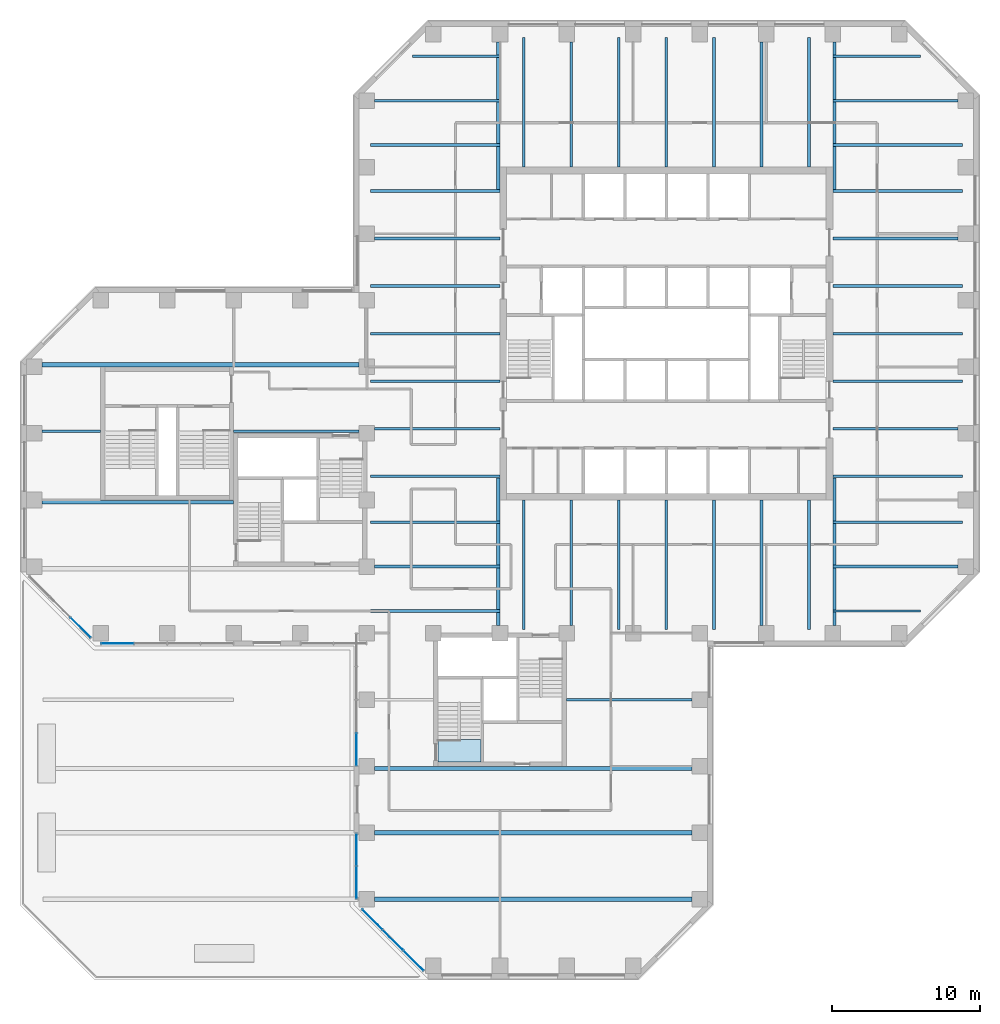
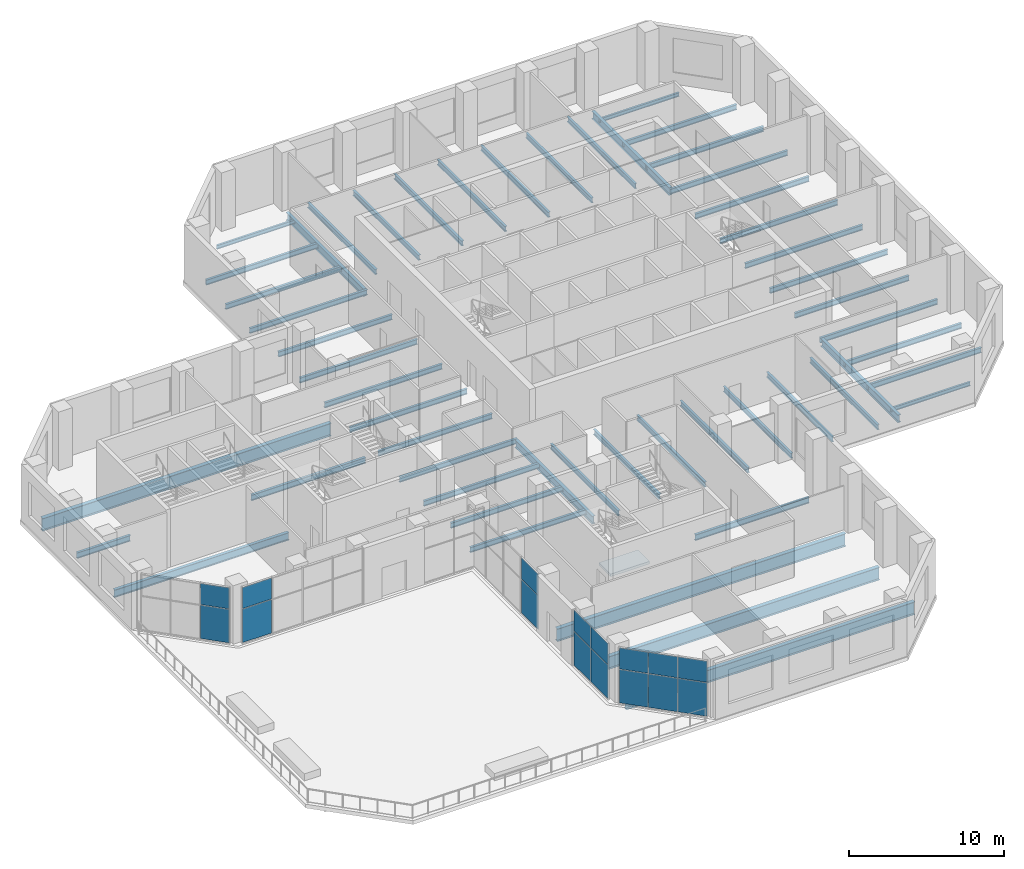
# One storey, part 4 of 14: 52 beams, 16 plates, 1 slab, 6 elements without a shape of their own.
"""IFC4 building model written with IfcOpenShell, lengths in metres."""

from ifc_helpers import new_model, si_unit, direction, frame, origin, origin_2d, place, context, subcontext, project, spatial, polyline, rectangle, i_section, outline, extrude, material, layer, layer_set, constituent, constituent_set, material_profile, profile_set, type_object, element, aggregate, save


model = new_model("IFC4")

# Units and contexts
model_context = context("Model", 3, precision=1e-05, world=origin(), true_north=direction((0.0, 1.0)))
body_context = subcontext(model_context, "Body", "Model", "MODEL_VIEW")
ifc_project = project(units=[si_unit("LENGTHUNIT", "METRE"), si_unit("AREAUNIT", "SQUARE_METRE"), si_unit("VOLUMEUNIT", "CUBIC_METRE"), si_unit("PLANEANGLEUNIT", "RADIAN"), si_unit("MASSUNIT", "GRAM", prefix="KILO")], contexts=[model_context])

# Site, building, storey
site_placement = place(None, origin())
site = spatial("IfcSite", under=ifc_project, at=site_placement, CompositionType="ELEMENT")
building_placement = place(site_placement, origin())
building = spatial("IfcBuilding", under=site, at=building_placement, Name="Quoin Convention Tower", CompositionType="ELEMENT")
storey_placement = place(building_placement, frame((0.0, 0.0, 74.300048828125)))
storey = spatial("IfcBuildingStorey", under=building, at=storey_placement, Name="L19", CompositionType="ELEMENT", Elevation=74.300048828125)

# Beams
ifc_material_1 = material(Name="Steel Grade 300", Category="steel")
ifc_material_profile_1 = material_profile(ifc_material_1, i_section(OverallWidth=0.300048828125, OverallDepth=1.0, WebThickness=0.01611328125, FlangeThickness=0.02001953125, at=origin_2d()), Name="1000WB215")
ifc_profile_set_1 = profile_set([ifc_material_profile_1], Name="Steel Grade 300")
beam_type_1 = type_object("IfcBeamType", Name="1000WB215", PredefinedType="BEAM", material=ifc_profile_set_1)
for number, where, z_axis, x_axis, name in (
    (1, (36.52490234375, 22.5, -0.650146484375), (1.0, 0.0, 0.0), (0.0, 1.0, 0.0), "gir-L19-ST3-1-0"),
    (2, (36.52490234375, 27.0, -0.650146484375), (1.0, 0.0, 0.0), (0.0, 1.0, 0.0), "gir-L19-ST3-2-0"),
    (3, (36.52490234375, 31.35009765625, -0.650146484375), (1.0, 0.0, 0.0), (0.0, 1.0, 0.0), "gir-L19-ST3-3-0"),
    (4, (14.02490234375, 58.64990234375, -0.650146484375), (1.0, 0.0, 0.0), (0.0, 1.0, 0.0), "gir-L19-ST2-4-0"),
):
    element("IfcBeam", number, at=place(storey_placement, frame(where, z_axis=z_axis, x_axis=x_axis)), inside=storey, type_object=beam_type_1, Name=name, PredefinedType="BEAM", context=body_context, shape_type="SweptSolid", body=[
        extrude(i_section(OverallWidth=0.300048828125, OverallDepth=1.0, WebThickness=0.01611328125, FlangeThickness=0.02001953125, at=origin_2d()), origin(), (0.0, 0.0, 1.0), 21.4501953125),
    ])
ifc_material_profile_2 = material_profile(ifc_material_1, i_section(OverallWidth=0.14892578125, OverallDepth=0.298095703125, WebThickness=0.005615234375, FlangeThickness=0.008056640625, FilletRadius=0.012939453125, at=origin_2d()), Name="310UB32.0")
ifc_profile_set_2 = profile_set([ifc_material_profile_2], Name="Steel Grade 300")
beam_type_2 = type_object("IfcBeamType", Name="310UB32.0", PredefinedType="BEAM", material=ifc_profile_set_2)
for number, where, z_axis, x_axis, name in (
    (5, (67.5, 42.0, -0.299072265625), (1.0, 0.0, 0.0), (0.0, 1.0, 0.0), "bm-L19-T1SE0"),
    (6, (39.072265625, 79.5, -0.299072265625), (1.0, 0.0, 0.0), (0.0, 1.0, 0.0), "bm-L19-T1NW0"),
    (7, (67.5, 79.5, -0.299072265625), (1.0, 0.0, 0.0), (0.0, 1.0, 0.0), "bm-L19-T1NE0"),
):
    element("IfcBeam", number, at=place(storey_placement, frame(where, z_axis=z_axis, x_axis=x_axis)), inside=storey, type_object=beam_type_2, Name=name, PredefinedType="BEAM", context=body_context, shape_type="SweptSolid", body=[
        extrude(i_section(OverallWidth=0.14892578125, OverallDepth=0.298095703125, WebThickness=0.005615234375, FlangeThickness=0.008056640625, FilletRadius=0.012939453125, at=origin_2d()), origin(), (0.0, 0.0, 1.0), 5.927734375),
    ])
ifc_material_profile_3 = material_profile(ifc_material_1, i_section(OverallWidth=0.177978515625, OverallDepth=0.403076171875, WebThickness=0.007568359375, FlangeThickness=0.010986328125, FilletRadius=0.011474609375, at=origin_2d()), Name="410UB53.7")
ifc_profile_set_3 = profile_set([ifc_material_profile_3], Name="Steel Grade 300")
beam_type_3 = type_object("IfcBeamType", Name="410UB53.7", PredefinedType="BEAM", material=ifc_profile_set_3)
beam_1_placement = place(storey_placement, frame((36.25, 51.107177734375, -0.3515625), z_axis=(1.0, 0.0, 0.0), x_axis=(0.0, 1.0, 0.0)))
element("IfcBeam", 8, at=beam_1_placement, inside=storey, type_object=beam_type_3, Name="bm-L19-T1W0", PredefinedType="BEAM", context=body_context, shape_type="SweptSolid", body=[
    extrude(i_section(OverallWidth=0.177978515625, OverallDepth=0.403076171875, WebThickness=0.007568359375, FlangeThickness=0.010986328125, FilletRadius=0.011474609375, at=origin_2d()), origin(), (0.0, 0.0, 1.0), 8.75),
])
beam_2_placement = place(storey_placement, frame((36.52490234375, 54.3212890625, -0.3515625), z_axis=(1.0, 0.0, 0.0), x_axis=(0.0, 1.0, 0.0)))
element("IfcBeam", 9, at=beam_2_placement, inside=storey, type_object=beam_type_3, Name="bm-L19-T1W1", PredefinedType="BEAM", context=body_context, shape_type="SweptSolid", body=[
    extrude(i_section(OverallWidth=0.177978515625, OverallDepth=0.403076171875, WebThickness=0.007568359375, FlangeThickness=0.010986328125, FilletRadius=0.011474609375, at=origin_2d()), origin(), (0.0, 0.0, 1.0), 8.47509765625),
])
for number, where, z_axis, x_axis, name in (
    (10, (36.25, 57.53564453125, -0.3515625), (1.0, 0.0, 0.0), (0.0, 1.0, 0.0), "bm-L19-T1W2"),
    (11, (36.25, 60.75, -0.3515625), (1.0, 0.0, 0.0), (0.0, 1.0, 0.0), "bm-L19-T1W3"),
    (12, (36.25, 63.96435546875, -0.3515625), (1.0, 0.0, 0.0), (0.0, 1.0, 0.0), "bm-L19-T1W4"),
):
    element("IfcBeam", number, at=place(storey_placement, frame(where, z_axis=z_axis, x_axis=x_axis)), inside=storey, type_object=beam_type_3, Name=name, PredefinedType="BEAM", context=body_context, shape_type="SweptSolid", body=[
        extrude(i_section(OverallWidth=0.177978515625, OverallDepth=0.403076171875, WebThickness=0.007568359375, FlangeThickness=0.010986328125, FilletRadius=0.011474609375, at=origin_2d()), origin(), (0.0, 0.0, 1.0), 8.75),
    ])
beam_3_placement = place(storey_placement, frame((36.52490234375, 67.1787109375, -0.3515625), z_axis=(1.0, 0.0, 0.0), x_axis=(0.0, 1.0, 0.0)))
element("IfcBeam", 13, at=beam_3_placement, inside=storey, type_object=beam_type_3, Name="bm-L19-T1W5", PredefinedType="BEAM", context=body_context, shape_type="SweptSolid", body=[
    extrude(i_section(OverallWidth=0.177978515625, OverallDepth=0.403076171875, WebThickness=0.007568359375, FlangeThickness=0.010986328125, FilletRadius=0.011474609375, at=origin_2d()), origin(), (0.0, 0.0, 1.0), 8.47509765625),
])
for number, where, z_axis, x_axis, name in (
    (14, (36.25, 70.392822265625, -0.3515625), (1.0, 0.0, 0.0), (0.0, 1.0, 0.0), "bm-L19-T1W6"),
    (15, (67.5, 51.107177734375, -0.3515625), (1.0, 0.0, 0.0), (0.0, 1.0, 0.0), "bm-L19-T1E0"),
):
    element("IfcBeam", number, at=place(storey_placement, frame(where, z_axis=z_axis, x_axis=x_axis)), inside=storey, type_object=beam_type_3, Name=name, PredefinedType="BEAM", context=body_context, shape_type="SweptSolid", body=[
        extrude(i_section(OverallWidth=0.177978515625, OverallDepth=0.403076171875, WebThickness=0.007568359375, FlangeThickness=0.010986328125, FilletRadius=0.011474609375, at=origin_2d()), origin(), (0.0, 0.0, 1.0), 8.75),
    ])
beam_4_placement = place(storey_placement, frame((67.5, 54.3212890625, -0.3515625), z_axis=(1.0, 0.0, 0.0), x_axis=(0.0, 1.0, 0.0)))
element("IfcBeam", 16, at=beam_4_placement, inside=storey, type_object=beam_type_3, Name="bm-L19-T1E1", PredefinedType="BEAM", context=body_context, shape_type="SweptSolid", body=[
    extrude(i_section(OverallWidth=0.177978515625, OverallDepth=0.403076171875, WebThickness=0.007568359375, FlangeThickness=0.010986328125, FilletRadius=0.011474609375, at=origin_2d()), origin(), (0.0, 0.0, 1.0), 8.47509765625),
])
for number, where, z_axis, x_axis, name in (
    (17, (67.5, 57.53564453125, -0.3515625), (1.0, 0.0, 0.0), (0.0, 1.0, 0.0), "bm-L19-T1E2"),
    (18, (67.5, 60.75, -0.3515625), (1.0, 0.0, 0.0), (0.0, 1.0, 0.0), "bm-L19-T1E3"),
    (19, (67.5, 63.96435546875, -0.3515625), (1.0, 0.0, 0.0), (0.0, 1.0, 0.0), "bm-L19-T1E4"),
):
    element("IfcBeam", number, at=place(storey_placement, frame(where, z_axis=z_axis, x_axis=x_axis)), inside=storey, type_object=beam_type_3, Name=name, PredefinedType="BEAM", context=body_context, shape_type="SweptSolid", body=[
        extrude(i_section(OverallWidth=0.177978515625, OverallDepth=0.403076171875, WebThickness=0.007568359375, FlangeThickness=0.010986328125, FilletRadius=0.011474609375, at=origin_2d()), origin(), (0.0, 0.0, 1.0), 8.75),
    ])
beam_5_placement = place(storey_placement, frame((67.5, 67.1787109375, -0.3515625), z_axis=(1.0, 0.0, 0.0), x_axis=(0.0, 1.0, 0.0)))
element("IfcBeam", 20, at=beam_5_placement, inside=storey, type_object=beam_type_3, Name="bm-L19-T1E5", PredefinedType="BEAM", context=body_context, shape_type="SweptSolid", body=[
    extrude(i_section(OverallWidth=0.177978515625, OverallDepth=0.403076171875, WebThickness=0.007568359375, FlangeThickness=0.010986328125, FilletRadius=0.011474609375, at=origin_2d()), origin(), (0.0, 0.0, 1.0), 8.47509765625),
])
for number, where, z_axis, x_axis, name in (
    (21, (67.5, 70.392822265625, -0.3515625), (1.0, 0.0, 0.0), (0.0, 1.0, 0.0), "bm-L19-T1E6"),
    (22, (46.607177734375, 40.75, -0.3515625), (0.0, 1.0, 0.0), (-1.0, 0.0, 0.0), "bm-L19-T1S0"),
):
    element("IfcBeam", number, at=place(storey_placement, frame(where, z_axis=z_axis, x_axis=x_axis)), inside=storey, type_object=beam_type_3, Name=name, PredefinedType="BEAM", context=body_context, shape_type="SweptSolid", body=[
        extrude(i_section(OverallWidth=0.177978515625, OverallDepth=0.403076171875, WebThickness=0.007568359375, FlangeThickness=0.010986328125, FilletRadius=0.011474609375, at=origin_2d()), origin(), (0.0, 0.0, 1.0), 8.75),
    ])
beam_6_placement = place(storey_placement, frame((49.8212890625, 41.02490234375, -0.3515625), z_axis=(0.0, 1.0, 0.0), x_axis=(-1.0, 0.0, 0.0)))
element("IfcBeam", 23, at=beam_6_placement, inside=storey, type_object=beam_type_3, Name="bm-L19-T1S1", PredefinedType="BEAM", context=body_context, shape_type="SweptSolid", body=[
    extrude(i_section(OverallWidth=0.177978515625, OverallDepth=0.403076171875, WebThickness=0.007568359375, FlangeThickness=0.010986328125, FilletRadius=0.011474609375, at=origin_2d()), origin(), (0.0, 0.0, 1.0), 8.47509765625),
])
for number, where, z_axis, x_axis, name in (
    (24, (53.03564453125, 40.75, -0.3515625), (0.0, 1.0, 0.0), (-1.0, 0.0, 0.0), "bm-L19-T1S2"),
    (25, (56.25, 40.75, -0.3515625), (0.0, 1.0, 0.0), (-1.0, 0.0, 0.0), "bm-L19-T1S3"),
    (26, (59.46435546875, 40.75, -0.3515625), (0.0, 1.0, 0.0), (-1.0, 0.0, 0.0), "bm-L19-T1S4"),
):
    element("IfcBeam", number, at=place(storey_placement, frame(where, z_axis=z_axis, x_axis=x_axis)), inside=storey, type_object=beam_type_3, Name=name, PredefinedType="BEAM", context=body_context, shape_type="SweptSolid", body=[
        extrude(i_section(OverallWidth=0.177978515625, OverallDepth=0.403076171875, WebThickness=0.007568359375, FlangeThickness=0.010986328125, FilletRadius=0.011474609375, at=origin_2d()), origin(), (0.0, 0.0, 1.0), 8.75),
    ])
beam_7_placement = place(storey_placement, frame((62.6787109375, 41.02490234375, -0.3515625), z_axis=(0.0, 1.0, 0.0), x_axis=(-1.0, 0.0, 0.0)))
element("IfcBeam", 27, at=beam_7_placement, inside=storey, type_object=beam_type_3, Name="bm-L19-T1S5", PredefinedType="BEAM", context=body_context, shape_type="SweptSolid", body=[
    extrude(i_section(OverallWidth=0.177978515625, OverallDepth=0.403076171875, WebThickness=0.007568359375, FlangeThickness=0.010986328125, FilletRadius=0.011474609375, at=origin_2d()), origin(), (0.0, 0.0, 1.0), 8.47509765625),
])
for number, where, z_axis, x_axis, name in (
    (28, (65.892822265625, 40.75, -0.3515625), (0.0, 1.0, 0.0), (-1.0, 0.0, 0.0), "bm-L19-T1S6"),
    (29, (46.607177734375, 72.0, -0.3515625), (0.0, 1.0, 0.0), (-1.0, 0.0, 0.0), "bm-L19-T1N0"),
):
    element("IfcBeam", number, at=place(storey_placement, frame(where, z_axis=z_axis, x_axis=x_axis)), inside=storey, type_object=beam_type_3, Name=name, PredefinedType="BEAM", context=body_context, shape_type="SweptSolid", body=[
        extrude(i_section(OverallWidth=0.177978515625, OverallDepth=0.403076171875, WebThickness=0.007568359375, FlangeThickness=0.010986328125, FilletRadius=0.011474609375, at=origin_2d()), origin(), (0.0, 0.0, 1.0), 8.75),
    ])
beam_8_placement = place(storey_placement, frame((49.8212890625, 72.0, -0.3515625), z_axis=(0.0, 1.0, 0.0), x_axis=(-1.0, 0.0, 0.0)))
element("IfcBeam", 30, at=beam_8_placement, inside=storey, type_object=beam_type_3, Name="bm-L19-T1N1", PredefinedType="BEAM", context=body_context, shape_type="SweptSolid", body=[
    extrude(i_section(OverallWidth=0.177978515625, OverallDepth=0.403076171875, WebThickness=0.007568359375, FlangeThickness=0.010986328125, FilletRadius=0.011474609375, at=origin_2d()), origin(), (0.0, 0.0, 1.0), 8.47509765625),
])
for number, where, z_axis, x_axis, name in (
    (31, (53.03564453125, 72.0, -0.3515625), (0.0, 1.0, 0.0), (-1.0, 0.0, 0.0), "bm-L19-T1N2"),
    (32, (56.25, 72.0, -0.3515625), (0.0, 1.0, 0.0), (-1.0, 0.0, 0.0), "bm-L19-T1N3"),
    (33, (59.46435546875, 72.0, -0.3515625), (0.0, 1.0, 0.0), (-1.0, 0.0, 0.0), "bm-L19-T1N4"),
):
    element("IfcBeam", number, at=place(storey_placement, frame(where, z_axis=z_axis, x_axis=x_axis)), inside=storey, type_object=beam_type_3, Name=name, PredefinedType="BEAM", context=body_context, shape_type="SweptSolid", body=[
        extrude(i_section(OverallWidth=0.177978515625, OverallDepth=0.403076171875, WebThickness=0.007568359375, FlangeThickness=0.010986328125, FilletRadius=0.011474609375, at=origin_2d()), origin(), (0.0, 0.0, 1.0), 8.75),
    ])
beam_9_placement = place(storey_placement, frame((62.6787109375, 72.0, -0.3515625), z_axis=(0.0, 1.0, 0.0), x_axis=(-1.0, 0.0, 0.0)))
element("IfcBeam", 34, at=beam_9_placement, inside=storey, type_object=beam_type_3, Name="bm-L19-T1N5", PredefinedType="BEAM", context=body_context, shape_type="SweptSolid", body=[
    extrude(i_section(OverallWidth=0.177978515625, OverallDepth=0.403076171875, WebThickness=0.007568359375, FlangeThickness=0.010986328125, FilletRadius=0.011474609375, at=origin_2d()), origin(), (0.0, 0.0, 1.0), 8.47509765625),
])
for number, where, z_axis, x_axis, name in (
    (35, (65.892822265625, 72.0, -0.3515625), (0.0, 1.0, 0.0), (-1.0, 0.0, 0.0), "bm-L19-T1N6"),
    (36, (36.25, 42.0, -0.3515625), (1.0, 0.0, 0.0), (0.0, 1.0, 0.0), "bm-L19-T1SW0"),
):
    element("IfcBeam", number, at=place(storey_placement, frame(where, z_axis=z_axis, x_axis=x_axis)), inside=storey, type_object=beam_type_3, Name=name, PredefinedType="BEAM", context=body_context, shape_type="SweptSolid", body=[
        extrude(i_section(OverallWidth=0.177978515625, OverallDepth=0.403076171875, WebThickness=0.007568359375, FlangeThickness=0.010986328125, FilletRadius=0.011474609375, at=origin_2d()), origin(), (0.0, 0.0, 1.0), 8.75),
    ])
beam_10_placement = place(storey_placement, frame((36.52490234375, 45.0, -0.3515625), z_axis=(1.0, 0.0, 0.0), x_axis=(0.0, 1.0, 0.0)))
element("IfcBeam", 37, at=beam_10_placement, inside=storey, type_object=beam_type_3, Name="bm-L19-T1SW1", PredefinedType="BEAM", context=body_context, shape_type="SweptSolid", body=[
    extrude(i_section(OverallWidth=0.177978515625, OverallDepth=0.403076171875, WebThickness=0.007568359375, FlangeThickness=0.010986328125, FilletRadius=0.011474609375, at=origin_2d()), origin(), (0.0, 0.0, 1.0), 8.47509765625),
])
beam_11_placement = place(storey_placement, frame((36.25, 48.0, -0.3515625), z_axis=(1.0, 0.0, 0.0), x_axis=(0.0, 1.0, 0.0)))
element("IfcBeam", 38, at=beam_11_placement, inside=storey, type_object=beam_type_3, Name="bm-L19-T1SW2", PredefinedType="BEAM", context=body_context, shape_type="SweptSolid", body=[
    extrude(i_section(OverallWidth=0.177978515625, OverallDepth=0.403076171875, WebThickness=0.007568359375, FlangeThickness=0.010986328125, FilletRadius=0.011474609375, at=origin_2d()), origin(), (0.0, 0.0, 1.0), 8.75),
])
beam_12_placement = place(storey_placement, frame((67.5, 45.0, -0.3515625), z_axis=(1.0, 0.0, 0.0), x_axis=(0.0, 1.0, 0.0)))
element("IfcBeam", 39, at=beam_12_placement, inside=storey, type_object=beam_type_3, Name="bm-L19-T1SE1", PredefinedType="BEAM", context=body_context, shape_type="SweptSolid", body=[
    extrude(i_section(OverallWidth=0.177978515625, OverallDepth=0.403076171875, WebThickness=0.007568359375, FlangeThickness=0.010986328125, FilletRadius=0.011474609375, at=origin_2d()), origin(), (0.0, 0.0, 1.0), 8.47509765625),
])
beam_13_placement = place(storey_placement, frame((67.5, 48.0, -0.3515625), z_axis=(1.0, 0.0, 0.0), x_axis=(0.0, 1.0, 0.0)))
element("IfcBeam", 40, at=beam_13_placement, inside=storey, type_object=beam_type_3, Name="bm-L19-T1SE2", PredefinedType="BEAM", context=body_context, shape_type="SweptSolid", body=[
    extrude(i_section(OverallWidth=0.177978515625, OverallDepth=0.403076171875, WebThickness=0.007568359375, FlangeThickness=0.010986328125, FilletRadius=0.011474609375, at=origin_2d()), origin(), (0.0, 0.0, 1.0), 8.75),
])
beam_14_placement = place(storey_placement, frame((36.52490234375, 76.5, -0.3515625), z_axis=(1.0, 0.0, 0.0), x_axis=(0.0, 1.0, 0.0)))
element("IfcBeam", 41, at=beam_14_placement, inside=storey, type_object=beam_type_3, Name="bm-L19-T1NW1", PredefinedType="BEAM", context=body_context, shape_type="SweptSolid", body=[
    extrude(i_section(OverallWidth=0.177978515625, OverallDepth=0.403076171875, WebThickness=0.007568359375, FlangeThickness=0.010986328125, FilletRadius=0.011474609375, at=origin_2d()), origin(), (0.0, 0.0, 1.0), 8.47509765625),
])
beam_15_placement = place(storey_placement, frame((36.25, 73.5, -0.3515625), z_axis=(1.0, 0.0, 0.0), x_axis=(0.0, 1.0, 0.0)))
element("IfcBeam", 42, at=beam_15_placement, inside=storey, type_object=beam_type_3, Name="bm-L19-T1NW2", PredefinedType="BEAM", context=body_context, shape_type="SweptSolid", body=[
    extrude(i_section(OverallWidth=0.177978515625, OverallDepth=0.403076171875, WebThickness=0.007568359375, FlangeThickness=0.010986328125, FilletRadius=0.011474609375, at=origin_2d()), origin(), (0.0, 0.0, 1.0), 8.75),
])
beam_16_placement = place(storey_placement, frame((67.5, 76.5, -0.3515625), z_axis=(1.0, 0.0, 0.0), x_axis=(0.0, 1.0, 0.0)))
element("IfcBeam", 43, at=beam_16_placement, inside=storey, type_object=beam_type_3, Name="bm-L19-T1NE1", PredefinedType="BEAM", context=body_context, shape_type="SweptSolid", body=[
    extrude(i_section(OverallWidth=0.177978515625, OverallDepth=0.403076171875, WebThickness=0.007568359375, FlangeThickness=0.010986328125, FilletRadius=0.011474609375, at=origin_2d()), origin(), (0.0, 0.0, 1.0), 8.47509765625),
])
beam_17_placement = place(storey_placement, frame((67.5, 73.5, -0.3515625), z_axis=(1.0, 0.0, 0.0), x_axis=(0.0, 1.0, 0.0)))
element("IfcBeam", 44, at=beam_17_placement, inside=storey, type_object=beam_type_3, Name="bm-L19-T1NE2", PredefinedType="BEAM", context=body_context, shape_type="SweptSolid", body=[
    extrude(i_section(OverallWidth=0.177978515625, OverallDepth=0.403076171875, WebThickness=0.007568359375, FlangeThickness=0.010986328125, FilletRadius=0.011474609375, at=origin_2d()), origin(), (0.0, 0.0, 1.0), 8.75),
])
ifc_material_profile_4 = material_profile(ifc_material_1, i_section(OverallWidth=0.18994140625, OverallDepth=0.4541015625, WebThickness=0.008544921875, FlangeThickness=0.0126953125, FilletRadius=0.011474609375, at=origin_2d()), Name="460UB67.1")
ifc_profile_set_4 = profile_set([ifc_material_profile_4], Name="Steel Grade 300")
beam_type_4 = type_object("IfcBeamType", Name="460UB67.1", PredefinedType="BEAM", material=ifc_profile_set_4)
beam_18_placement = place(storey_placement, frame((49.5, 36.0, -0.376953125), z_axis=(1.0, 0.0, 0.0), x_axis=(0.0, 1.0, 0.0)))
element("IfcBeam", 45, at=beam_18_placement, inside=storey, type_object=beam_type_4, Name="gir-L19-ST3-4-1", PredefinedType="BEAM", context=body_context, shape_type="SweptSolid", body=[
    extrude(i_section(OverallWidth=0.18994140625, OverallDepth=0.4541015625, WebThickness=0.008544921875, FlangeThickness=0.0126953125, FilletRadius=0.011474609375, at=origin_2d()), origin(), (0.0, 0.0, 1.0), 8.47509765625),
])
beam_19_placement = place(storey_placement, frame((14.02490234375, 54.14990234375, -0.376953125), z_axis=(1.0, 0.0, 0.0), x_axis=(0.0, 1.0, 0.0)))
element("IfcBeam", 46, at=beam_19_placement, inside=storey, type_object=beam_type_4, Name="gir-L19-ST2-3-0", PredefinedType="BEAM", context=body_context, shape_type="SweptSolid", body=[
    extrude(i_section(OverallWidth=0.18994140625, OverallDepth=0.4541015625, WebThickness=0.008544921875, FlangeThickness=0.0126953125, FilletRadius=0.011474609375, at=origin_2d()), origin(), (0.0, 0.0, 1.0), 3.97509765625),
])
beam_20_placement = place(storey_placement, frame((27.0, 54.14990234375, -0.376953125), z_axis=(1.0, 0.0, 0.0), x_axis=(0.0, 1.0, 0.0)))
element("IfcBeam", 47, at=beam_20_placement, inside=storey, type_object=beam_type_4, Name="gir-L19-ST2-3-1", PredefinedType="BEAM", context=body_context, shape_type="SweptSolid", body=[
    extrude(i_section(OverallWidth=0.18994140625, OverallDepth=0.4541015625, WebThickness=0.008544921875, FlangeThickness=0.0126953125, FilletRadius=0.011474609375, at=origin_2d()), origin(), (0.0, 0.0, 1.0), 8.47509765625),
])
ifc_material_profile_5 = material_profile(ifc_material_1, i_section(OverallWidth=0.22802734375, OverallDepth=0.60205078125, WebThickness=0.010498046875, FlangeThickness=0.014892578125, FilletRadius=0.013916015625, at=origin_2d()), Name="610UB101")
ifc_profile_set_5 = profile_set([ifc_material_profile_5], Name="Steel Grade 300")
beam_type_5 = type_object("IfcBeamType", Name="610UB101", PredefinedType="BEAM", material=ifc_profile_set_5)
for number, where, z_axis, x_axis, name in (
    (48, (44.885986328125, 41.02490234375, -0.450927734375), (0.0, 1.0, 0.0), (-1.0, 0.0, 0.0), "gir-L19-T1SW"),
    (49, (67.614013671875, 41.02490234375, -0.450927734375), (0.0, 1.0, 0.0), (-1.0, 0.0, 0.0), "gir-L19-T1SE"),
    (50, (44.885986328125, 80.47509765625, -0.450927734375), (0.0, -1.0, 0.0), (1.0, 0.0, 0.0), "gir-L19-T1NW"),
    (51, (67.614013671875, 80.47509765625, -0.450927734375), (0.0, -1.0, 0.0), (1.0, 0.0, 0.0), "gir-L19-T1NE"),
):
    element("IfcBeam", number, at=place(storey_placement, frame(where, z_axis=z_axis, x_axis=x_axis)), inside=storey, type_object=beam_type_5, Name=name, PredefinedType="BEAM", context=body_context, shape_type="SweptSolid", body=[
        extrude(i_section(OverallWidth=0.22802734375, OverallDepth=0.60205078125, WebThickness=0.010498046875, FlangeThickness=0.014892578125, FilletRadius=0.013916015625, at=origin_2d()), origin(), (0.0, 0.0, 1.0), 9.977783203125),
    ])
beam_21_placement = place(storey_placement, frame((14.02490234375, 49.35009765625, -0.450927734375), z_axis=(1.0, 0.0, 0.0), x_axis=(0.0, 1.0, 0.0)))
element("IfcBeam", 52, at=beam_21_placement, inside=storey, type_object=beam_type_5, Name="gir-L19-ST2-2-0", PredefinedType="BEAM", context=body_context, shape_type="SweptSolid", body=[
    extrude(i_section(OverallWidth=0.22802734375, OverallDepth=0.60205078125, WebThickness=0.010498046875, FlangeThickness=0.014892578125, FilletRadius=0.013916015625, at=origin_2d()), origin(), (0.0, 0.0, 1.0), 12.97509765625),
])

# Curtain wall, plates
ifc_material_2 = material(Name="Aluminium", Category="aluminium")
ifc_constituent_1 = constituent(ifc_material_2, Name="Frame")
ifc_material_3 = material(Name="Insulated glass", Category="glass")
ifc_constituent_2 = constituent(ifc_material_3, Name="Glazing")
ifc_constituent_set = constituent_set(constituents=[ifc_constituent_1, ifc_constituent_2], Name="Aluminium")
curtain_wall_type = type_object("IfcCurtainWallType", Name="Sky lobby glazing system", PredefinedType="NOTDEFINED", material=ifc_constituent_set)
curtain_wall_1_placement = place(storey_placement, origin())
curtain_wall_1 = element("IfcCurtainWall", 53, at=curtain_wall_1_placement, inside=storey, type_object=curtain_wall_type, Name="cw-SKY-L19-13005_44505", PredefinedType="NOTDEFINED")
ifc_layer_1 = layer(ifc_material_3, 0.035888671875)
ifc_layer_set_1 = layer_set([ifc_layer_1], Name="Insulated glass")
plate_type = type_object("IfcPlateType", Name="Sky lobby glazing glazing unit 36", PredefinedType="CURTAIN_PANEL", material=ifc_layer_set_1)
plate_1_placement = place(storey_placement, frame((16.6416015625, 40.868408203125, 0.050048828125), z_axis=(0.0, 0.0, 1.0), x_axis=(0.707115210816, -0.707098351457, 0.0)))
plate_1 = element("IfcPlate", 54, at=plate_1_placement, type_object=plate_type, Name="CW3 panel 3.1", PredefinedType="CURTAIN_PANEL", context=body_context, shape_type="SweptSolid", body=[
    extrude(rectangle(XDim=1.902099609375, YDim=0.035888671875, at=origin_2d()), origin(), (0.0, 0.0, 1.0), 2.625),
])
plate_2_placement = place(storey_placement, frame((16.6416015625, 40.868408203125, 2.72509765625), z_axis=(0.0, 0.0, 1.0), x_axis=(0.707115210816, -0.707098351457, 0.0)))
plate_2 = element("IfcPlate", 55, at=plate_2_placement, type_object=plate_type, Name="CW3 panel 3.2", PredefinedType="CURTAIN_PANEL", context=body_context, shape_type="SweptSolid", body=[
    extrude(rectangle(XDim=1.902099609375, YDim=0.035888671875, at=origin_2d()), origin(), (0.0, 0.0, 1.0), 1.64990234375),
])
aggregate(curtain_wall_1, [plate_1, plate_2])

curtain_wall_2_placement = place(storey_placement, origin())
curtain_wall_2 = element("IfcCurtainWall", 56, at=curtain_wall_2_placement, inside=storey, type_object=curtain_wall_type, Name="cw-SKY-L19-18000_39800", PredefinedType="NOTDEFINED")
plate_3_placement = place(storey_placement, frame((19.137451171875, 39.800048828125, 0.050048828125), z_axis=(0.0, 0.0, 1.0), x_axis=(1.0, 0.0, 0.0)))
plate_3 = element("IfcPlate", 57, at=plate_3_placement, type_object=plate_type, Name="CW3 panel 1.1", PredefinedType="CURTAIN_PANEL", context=body_context, shape_type="SweptSolid", body=[
    extrude(rectangle(XDim=2.175048828125, YDim=0.035888671875, at=origin_2d()), origin(), (0.0, 0.0, 1.0), 2.625),
])
plate_4_placement = place(storey_placement, frame((19.137451171875, 39.800048828125, 2.72509765625), z_axis=(0.0, 0.0, 1.0), x_axis=(1.0, 0.0, 0.0)))
plate_4 = element("IfcPlate", 58, at=plate_4_placement, type_object=plate_type, Name="CW3 panel 1.2", PredefinedType="CURTAIN_PANEL", context=body_context, shape_type="SweptSolid", body=[
    extrude(rectangle(XDim=2.175048828125, YDim=0.035888671875, at=origin_2d()), origin(), (0.0, 0.0, 1.0), 1.64990234375),
])
aggregate(curtain_wall_2, [plate_3, plate_4])

curtain_wall_3_placement = place(storey_placement, origin())
curtain_wall_3 = element("IfcCurtainWall", 59, at=curtain_wall_3_placement, inside=storey, type_object=curtain_wall_type, Name="cw-SKY-L19-35300_40500", PredefinedType="NOTDEFINED")
plate_5_placement = place(storey_placement, frame((35.300048828125, 32.637451171875, 0.050048828125), z_axis=(0.0, 0.0, 1.0), x_axis=(0.0, -1.0, 0.0)))
plate_5 = element("IfcPlate", 60, at=plate_5_placement, type_object=plate_type, Name="CW3 panel 4.1", PredefinedType="CURTAIN_PANEL", context=body_context, shape_type="SweptSolid", body=[
    extrude(rectangle(XDim=2.175048828125, YDim=0.035888671875, at=origin_2d()), origin(), (0.0, 0.0, 1.0), 2.625),
])
plate_6_placement = place(storey_placement, frame((35.300048828125, 32.637451171875, 2.72509765625), z_axis=(0.0, 0.0, 1.0), x_axis=(0.0, -1.0, 0.0)))
plate_6 = element("IfcPlate", 61, at=plate_6_placement, type_object=plate_type, Name="CW3 panel 4.2", PredefinedType="CURTAIN_PANEL", context=body_context, shape_type="SweptSolid", body=[
    extrude(rectangle(XDim=2.175048828125, YDim=0.035888671875, at=origin_2d()), origin(), (0.0, 0.0, 1.0), 1.64990234375),
])
aggregate(curtain_wall_3, [plate_5, plate_6])

curtain_wall_4_placement = place(storey_placement, origin())
curtain_wall_4 = element("IfcCurtainWall", 62, at=curtain_wall_4_placement, inside=storey, type_object=curtain_wall_type, Name="cw-SKY-L19-35300_27000", PredefinedType="NOTDEFINED")
plate_7_placement = place(storey_placement, frame((35.300048828125, 25.862548828125, 0.050048828125), z_axis=(0.0, 0.0, 1.0), x_axis=(0.0, -1.0, 0.0)))
plate_7 = element("IfcPlate", 63, at=plate_7_placement, type_object=plate_type, Name="CW3 panel 1.1", PredefinedType="CURTAIN_PANEL", context=body_context, shape_type="SweptSolid", body=[
    extrude(rectangle(XDim=2.175048828125, YDim=0.035888671875, at=origin_2d()), origin(), (0.0, 0.0, 1.0), 2.625),
])
plate_8_placement = place(storey_placement, frame((35.300048828125, 25.862548828125, 2.72509765625), z_axis=(0.0, 0.0, 1.0), x_axis=(0.0, -1.0, 0.0)))
plate_8 = element("IfcPlate", 64, at=plate_8_placement, type_object=plate_type, Name="CW3 panel 1.2", PredefinedType="CURTAIN_PANEL", context=body_context, shape_type="SweptSolid", body=[
    extrude(rectangle(XDim=2.175048828125, YDim=0.035888671875, at=origin_2d()), origin(), (0.0, 0.0, 1.0), 1.64990234375),
])
plate_9_placement = place(storey_placement, frame((35.300048828125, 23.637451171875, 0.050048828125), z_axis=(0.0, 0.0, 1.0), x_axis=(0.0, -1.0, 0.0)))
plate_9 = element("IfcPlate", 65, at=plate_9_placement, type_object=plate_type, Name="CW3 panel 2.1", PredefinedType="CURTAIN_PANEL", context=body_context, shape_type="SweptSolid", body=[
    extrude(rectangle(XDim=2.175048828125, YDim=0.035888671875, at=origin_2d()), origin(), (0.0, 0.0, 1.0), 2.625),
])
plate_10_placement = place(storey_placement, frame((35.300048828125, 23.637451171875, 2.72509765625), z_axis=(0.0, 0.0, 1.0), x_axis=(0.0, -1.0, 0.0)))
plate_10 = element("IfcPlate", 66, at=plate_10_placement, type_object=plate_type, Name="CW3 panel 2.2", PredefinedType="CURTAIN_PANEL", context=body_context, shape_type="SweptSolid", body=[
    extrude(rectangle(XDim=2.175048828125, YDim=0.035888671875, at=origin_2d()), origin(), (0.0, 0.0, 1.0), 1.64990234375),
])
aggregate(curtain_wall_4, [plate_7, plate_8, plate_9, plate_10])

curtain_wall_5_placement = place(storey_placement, origin())
curtain_wall_5 = element("IfcCurtainWall", 67, at=curtain_wall_5_placement, inside=storey, type_object=curtain_wall_type, Name="cw-SKY-L19-35505_22005", PredefinedType="NOTDEFINED")
plate_11_placement = place(storey_placement, frame((36.368408203125, 21.1416015625, 0.050048828125), z_axis=(0.0, 0.0, 1.0), x_axis=(0.707098351457, -0.707115210816, 0.0)))
plate_11 = element("IfcPlate", 68, at=plate_11_placement, type_object=plate_type, Name="CW3 panel 1.1", PredefinedType="CURTAIN_PANEL", context=body_context, shape_type="SweptSolid", body=[
    extrude(rectangle(XDim=1.902099609375, YDim=0.035888671875, at=origin_2d()), origin(), (0.0, 0.0, 1.0), 2.625),
])
plate_12_placement = place(storey_placement, frame((36.368408203125, 21.1416015625, 2.72509765625), z_axis=(0.0, 0.0, 1.0), x_axis=(0.707098351457, -0.707115210816, 0.0)))
plate_12 = element("IfcPlate", 69, at=plate_12_placement, type_object=plate_type, Name="CW3 panel 1.2", PredefinedType="CURTAIN_PANEL", context=body_context, shape_type="SweptSolid", body=[
    extrude(rectangle(XDim=1.902099609375, YDim=0.035888671875, at=origin_2d()), origin(), (0.0, 0.0, 1.0), 1.64990234375),
])
plate_13_placement = place(storey_placement, frame((37.757568359375, 19.75244140625, 0.050048828125), z_axis=(0.0, 0.0, 1.0), x_axis=(0.707098351457, -0.707115210816, 0.0)))
plate_13 = element("IfcPlate", 70, at=plate_13_placement, type_object=plate_type, Name="CW3 panel 2.1", PredefinedType="CURTAIN_PANEL", context=body_context, shape_type="SweptSolid", body=[
    extrude(rectangle(XDim=1.92724609375, YDim=0.035888671875, at=origin_2d()), origin(), (0.0, 0.0, 1.0), 2.625),
])
plate_14_placement = place(storey_placement, frame((37.757568359375, 19.75244140625, 2.72509765625), z_axis=(0.0, 0.0, 1.0), x_axis=(0.707098351457, -0.707115210816, 0.0)))
plate_14 = element("IfcPlate", 71, at=plate_14_placement, type_object=plate_type, Name="CW3 panel 2.2", PredefinedType="CURTAIN_PANEL", context=body_context, shape_type="SweptSolid", body=[
    extrude(rectangle(XDim=1.92724609375, YDim=0.035888671875, at=origin_2d()), origin(), (0.0, 0.0, 1.0), 1.64990234375),
])
plate_15_placement = place(storey_placement, frame((39.146728515625, 18.36328125, 0.050048828125), z_axis=(0.0, 0.0, 1.0), x_axis=(0.707098351457, -0.707115210816, 0.0)))
plate_15 = element("IfcPlate", 72, at=plate_15_placement, type_object=plate_type, Name="CW3 panel 3.1", PredefinedType="CURTAIN_PANEL", context=body_context, shape_type="SweptSolid", body=[
    extrude(rectangle(XDim=1.902099609375, YDim=0.035888671875, at=origin_2d()), origin(), (0.0, 0.0, 1.0), 2.625),
])
plate_16_placement = place(storey_placement, frame((39.146728515625, 18.36328125, 2.72509765625), z_axis=(0.0, 0.0, 1.0), x_axis=(0.707098351457, -0.707115210816, 0.0)))
plate_16 = element("IfcPlate", 73, at=plate_16_placement, type_object=plate_type, Name="CW3 panel 3.2", PredefinedType="CURTAIN_PANEL", context=body_context, shape_type="SweptSolid", body=[
    extrude(rectangle(XDim=1.902099609375, YDim=0.035888671875, at=origin_2d()), origin(), (0.0, 0.0, 1.0), 1.64990234375),
])
aggregate(curtain_wall_5, [plate_11, plate_12, plate_13, plate_14, plate_15, plate_16])

# Stair, slab
ifc_material_4 = material(Name="Concrete C40", Category="concrete")
stair_type = type_object("IfcStairType", Name="Exit stair four-flight 1350", PredefinedType="DOUBLE_RETURN_STAIR", material=ifc_material_4)
stair_placement = place(storey_placement, origin())
stair = element("IfcStair", 74, at=stair_placement, inside=storey, type_object=stair_type, Name="SD5 L19", PredefinedType="DOUBLE_RETURN_STAIR")
ifc_layer_2 = layer(ifc_material_4, 0.199951171875)
ifc_layer_set_2 = layer_set([ifc_layer_2], Name="Concrete C40")
slab_type = type_object("IfcSlabType", Name="Stair landing 200", PredefinedType="LANDING", material=ifc_layer_set_2)
slab_placement = place(storey_placement, frame((0.0, 0.0, 2.099853515625)))
slab = element("IfcSlab", 75, at=slab_placement, type_object=slab_type, Name="ST5 landing 2", PredefinedType="LANDING", context=body_context, shape_type="SweptSolid", body=[
    extrude(outline(polyline([(40.800048828125, 31.800048828125), (43.699951171875, 31.800048828125), (43.699951171875, 33.300048828125), (40.800048828125, 33.300048828125), (40.800048828125, 31.800048828125)])), origin(), (0.0, 0.0, 1.0), 0.2001953125),
])
aggregate(stair, [slab])

save(model, "model.ifc")
